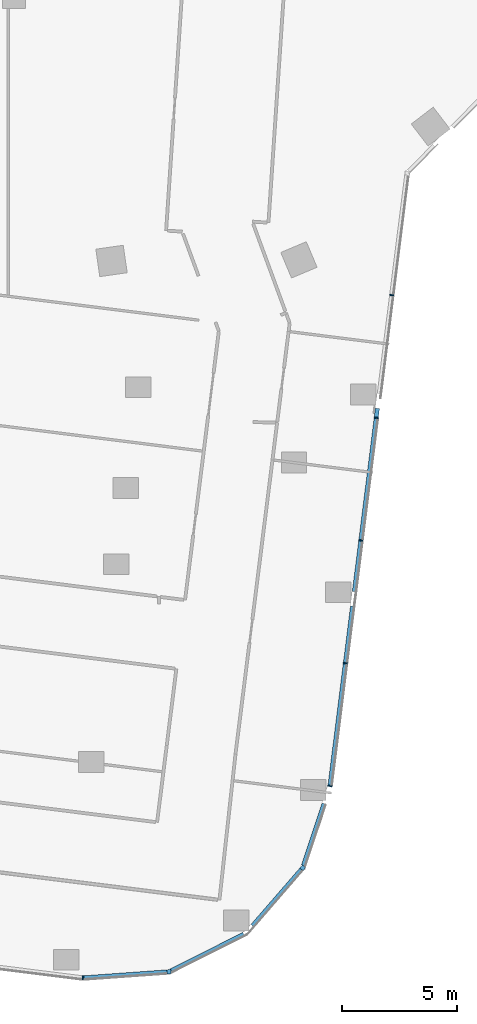
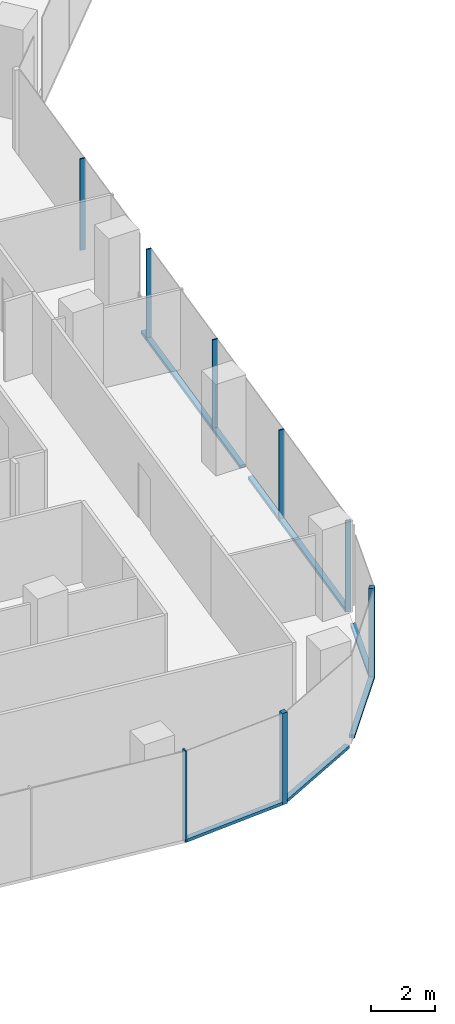
# One storey, part 4 of 27: 14 members, 6 elements without a shape of their own.
"""IFC4 building model written with IfcOpenShell, lengths in metres."""

from ifc_helpers import new_model, si_unit, direction, frame, origin, origin_2d, place, context, subcontext, project, spatial, rectangle, extrude, material, material_profile, profile_set, type_object, element, aggregate, save


model = new_model("IFC4")

# Units and contexts
model_context = context("Model", 3, precision=1e-05, world=origin(), true_north=direction((0.0, 1.0)))
body_context = subcontext(model_context, "Body", "Model", "MODEL_VIEW")
ifc_project = project(units=[si_unit("LENGTHUNIT", "METRE"), si_unit("AREAUNIT", "SQUARE_METRE"), si_unit("VOLUMEUNIT", "CUBIC_METRE"), si_unit("PLANEANGLEUNIT", "RADIAN"), si_unit("MASSUNIT", "GRAM", prefix="KILO")], contexts=[model_context])

# Site, building, storey
site_placement = place(None, origin())
site = spatial("IfcSite", under=ifc_project, at=site_placement, CompositionType="ELEMENT")
building_placement = place(site_placement, origin())
building = spatial("IfcBuilding", under=site, at=building_placement, Name="Orlundy Tower", CompositionType="ELEMENT")
storey_placement = place(building_placement, frame((0.0, 0.0, 192.10009765625)))
storey = spatial("IfcBuildingStorey", under=building, at=storey_placement, Name="L50", CompositionType="ELEMENT", Elevation=192.10009765625)

# Curtain wall, member
ifc_material_1 = material(Name="Aluminium bronze anodised", Category="aluminium")
curtain_wall_type = type_object("IfcCurtainWallType", Name="CW1 wall", PredefinedType="NOTDEFINED", material=ifc_material_1)
curtain_wall_1_placement = place(storey_placement, origin())
curtain_wall_1 = element("IfcCurtainWall", 1, at=curtain_wall_1_placement, inside=storey, type_object=curtain_wall_type, Name="CW1 run 020", PredefinedType="NOTDEFINED")
ifc_material_2 = material(Name="Aluminium bronze anodised", Category="aluminium")
ifc_material_profile_1 = material_profile(ifc_material_2, rectangle(XDim=0.179931640625, YDim=0.179931640625, at=origin_2d()), Name="CW1 corner post 180x180")
ifc_profile_set_1 = profile_set([ifc_material_profile_1], Name="Aluminium bronze anodised")
member_type_1 = type_object("IfcMemberType", Name="CW1 corner post 180x180", PredefinedType="MULLION", material=ifc_profile_set_1)
member_1_placement = place(storey_placement, frame((12.5146484375, -55.66650390625, -0.420166015625), z_axis=(0.0, 0.0, 1.0), x_axis=(0.755626772005, -0.655002428568, 0.0)))
member_1 = element("IfcMember", 2, at=member_1_placement, type_object=member_type_1, Name="CW1 mullion 50", PredefinedType="MULLION", context=body_context, shape_type="SweptSolid", body=[
    extrude(rectangle(XDim=0.179931640625, YDim=0.179931640625, at=origin_2d()), origin(), (0.0, 0.0, 1.0), 3.5),
])

curtain_wall_2_placement = place(storey_placement, origin())
curtain_wall_2 = element("IfcCurtainWall", 3, at=curtain_wall_2_placement, inside=storey, type_object=curtain_wall_type, Name="CW1 run 022", PredefinedType="NOTDEFINED")
member_2_placement = place(storey_placement, frame((6.71630859375, -60.16943359375, -0.420166015625), z_axis=(0.0, 0.0, 1.0), x_axis=(0.071227876188, -0.997460069203, 0.0)))
member_2 = element("IfcMember", 4, at=member_2_placement, type_object=member_type_1, Name="CW1 mullion 52", PredefinedType="MULLION", context=body_context, shape_type="SweptSolid", body=[
    extrude(rectangle(XDim=0.179931640625, YDim=0.179931640625, at=origin_2d()), origin(), (0.0, 0.0, 1.0), 3.5),
])

# Curtain wall, members
curtain_wall_3_placement = place(storey_placement, origin())
curtain_wall_3 = element("IfcCurtainWall", 5, at=curtain_wall_3_placement, inside=storey, type_object=curtain_wall_type, Name="CW1 run 018", PredefinedType="NOTDEFINED")
ifc_material_3 = material(Name="Aluminium bronze anodised", Category="aluminium")
ifc_material_profile_2 = material_profile(ifc_material_3, rectangle(XDim=0.179931640625, YDim=0.050048828125, at=origin_2d()), Name="CW1 mullion 50x180")
ifc_profile_set_2 = profile_set([ifc_material_profile_2], Name="Aluminium bronze anodised")
member_type_2 = type_object("IfcMemberType", Name="CW1 mullion 50x180", PredefinedType="MULLION", material=ifc_profile_set_2)
member_3_placement = place(storey_placement, frame((16.3681640625, -30.85595703125, -0.420166015625), z_axis=(0.0, 0.0, 1.0), x_axis=(0.992189164773, -0.124742379758, 0.0)))
member_3 = element("IfcMember", 6, at=member_3_placement, type_object=member_type_2, Name="CW1 mullion 45", PredefinedType="MULLION", context=body_context, shape_type="SweptSolid", body=[
    extrude(rectangle(XDim=0.179931640625, YDim=0.050048828125, at=origin_2d()), origin(), (0.0, 0.0, 1.0), 3.5),
])
member_4_placement = place(storey_placement, frame((15.699951171875, -36.1708984375, -0.420166015625), z_axis=(0.0, 0.0, 1.0), x_axis=(0.992189164773, -0.124742379758, 0.0)))
member_4 = element("IfcMember", 7, at=member_4_placement, type_object=member_type_2, Name="CW1 mullion 46", PredefinedType="MULLION", context=body_context, shape_type="SweptSolid", body=[
    extrude(rectangle(XDim=0.179931640625, YDim=0.050048828125, at=origin_2d()), origin(), (0.0, 0.0, 1.0), 3.5),
])
member_5_placement = place(storey_placement, frame((15.03173828125, -41.485595703125, -0.420166015625), z_axis=(0.0, 0.0, 1.0), x_axis=(0.992189164773, -0.124742379758, 0.0)))
member_5 = element("IfcMember", 8, at=member_5_placement, type_object=member_type_2, Name="CW1 mullion 47", PredefinedType="MULLION", context=body_context, shape_type="SweptSolid", body=[
    extrude(rectangle(XDim=0.179931640625, YDim=0.050048828125, at=origin_2d()), origin(), (0.0, 0.0, 1.0), 3.5),
])
member_6_placement = place(storey_placement, frame((14.363525390625, -46.800537109375, -0.420166015625), z_axis=(0.0, 0.0, 1.0), x_axis=(0.992189164773, -0.124742379758, 0.0)))
member_6 = element("IfcMember", 9, at=member_6_placement, type_object=member_type_2, Name="CW1 mullion 48", PredefinedType="MULLION", context=body_context, shape_type="SweptSolid", body=[
    extrude(rectangle(XDim=0.179931640625, YDim=0.050048828125, at=origin_2d()), origin(), (0.0, 0.0, 1.0), 3.5),
])

# Curtain wall, member
curtain_wall_4_placement = place(storey_placement, origin())
curtain_wall_4 = element("IfcCurtainWall", 10, at=curtain_wall_4_placement, inside=storey, type_object=curtain_wall_type, Name="CW1 run 019", PredefinedType="NOTDEFINED")
member_7_placement = place(storey_placement, frame((13.694091796875, -52.1240234375, -0.420166015625), z_axis=(0.0, 0.0, 1.0), x_axis=(0.975185541669, -0.22138915809, 0.0)))
member_7 = element("IfcMember", 11, at=member_7_placement, type_object=member_type_2, Name="CW1 mullion 49", PredefinedType="MULLION", context=body_context, shape_type="SweptSolid", body=[
    extrude(rectangle(XDim=0.179931640625, YDim=0.050048828125, at=origin_2d()), origin(), (0.0, 0.0, 1.0), 3.5),
])

curtain_wall_5_placement = place(storey_placement, origin())
curtain_wall_5 = element("IfcCurtainWall", 12, at=curtain_wall_5_placement, inside=storey, type_object=curtain_wall_type, Name="CW1 run 023", PredefinedType="NOTDEFINED")
member_8_placement = place(storey_placement, frame((2.99267578125, -60.435302734375, -0.420166015625), z_axis=(0.0, 0.0, 1.0), x_axis=(-0.026896328745, -0.999638228311, 0.0)))
member_8 = element("IfcMember", 13, at=member_8_placement, type_object=member_type_2, Name="CW1 mullion 53", PredefinedType="MULLION", context=body_context, shape_type="SweptSolid", body=[
    extrude(rectangle(XDim=0.179931640625, YDim=0.050048828125, at=origin_2d()), origin(), (0.0, 0.0, 1.0), 3.5),
])
aggregate(curtain_wall_5, [member_8])

# Member
ifc_material_4 = material(Name="Aluminium bronze anodised", Category="aluminium")
ifc_material_profile_3 = material_profile(ifc_material_4, rectangle(XDim=0.179931640625, YDim=0.1201171875, at=origin_2d()), Name="CW1 transom 180x120")
ifc_profile_set_3 = profile_set([ifc_material_profile_3], Name="Aluminium bronze anodised")
member_type_3 = type_object("IfcMemberType", Name="CW1 transom 180x120", PredefinedType="USERDEFINED", material=ifc_profile_set_3)
member_9_placement = place(storey_placement, frame((15.751220703125, -35.761962890625, -0.360107421875), z_axis=(-0.124745048398, -0.992188829256, 0.0), x_axis=(0.992188829256, -0.124745048398, 0.0)))
member_9 = element("IfcMember", 14, at=member_9_placement, type_object=member_type_3, Name="CW1 transom", ObjectType="TRANSOM", PredefinedType="USERDEFINED", context=body_context, shape_type="SweptSolid", body=[
    extrude(rectangle(XDim=0.179931640625, YDim=0.1201171875, at=origin_2d()), origin(), (0.0, 0.0, 1.0), 7.994873046875),
])

member_10_placement = place(storey_placement, frame((14.67431640625, -44.327880859375, -0.360107421875), z_axis=(-0.124744431686, -0.992188906793, 0.0), x_axis=(0.992188906793, -0.124744431686, 0.0)))
member_10 = element("IfcMember", 15, at=member_10_placement, type_object=member_type_3, Name="CW1 transom", ObjectType="TRANSOM", PredefinedType="USERDEFINED", context=body_context, shape_type="SweptSolid", body=[
    extrude(rectangle(XDim=0.179931640625, YDim=0.1201171875, at=origin_2d()), origin(), (0.0, 0.0, 1.0), 7.83251953125),
])

aggregate(curtain_wall_3, [member_3, member_4, member_5, member_6, member_9, member_10])

member_11_placement = place(storey_placement, frame((13.437744140625, -52.89404296875, -0.360107421875), z_axis=(-0.315916586295, -0.948786967925, 0.0), x_axis=(0.948786967925, -0.315916586295, 0.0)))
member_11 = element("IfcMember", 16, at=member_11_placement, type_object=member_type_3, Name="CW1 transom", ObjectType="TRANSOM", PredefinedType="USERDEFINED", context=body_context, shape_type="SweptSolid", body=[
    extrude(rectangle(XDim=0.179931640625, YDim=0.1201171875, at=origin_2d()), origin(), (0.0, 0.0, 1.0), 2.82470703125),
])

aggregate(curtain_wall_4, [member_7, member_11])

member_12_placement = place(storey_placement, frame((12.455810546875, -55.734375, -0.360107421875), z_axis=(-0.654962174083, -0.755661664054, 0.0), x_axis=(0.755661664054, -0.654962174083, 0.0)))
member_12 = element("IfcMember", 17, at=member_12_placement, type_object=member_type_3, Name="CW1 transom", ObjectType="TRANSOM", PredefinedType="USERDEFINED", context=body_context, shape_type="SweptSolid", body=[
    extrude(rectangle(XDim=0.179931640625, YDim=0.1201171875, at=origin_2d()), origin(), (0.0, 0.0, 1.0), 3.231689453125),
])

aggregate(curtain_wall_1, [member_1, member_12])

# Curtain wall, member
curtain_wall_6_placement = place(storey_placement, origin())
curtain_wall_6 = element("IfcCurtainWall", 18, at=curtain_wall_6_placement, inside=storey, type_object=curtain_wall_type, Name="CW1 run 021", PredefinedType="NOTDEFINED")
member_13_placement = place(storey_placement, frame((9.954345703125, -58.549072265625, -0.360107421875), z_axis=(-0.894260832401, -0.447546158103, 0.0), x_axis=(0.447546158103, -0.894260832401, 0.0)))
member_13 = element("IfcMember", 19, at=member_13_placement, type_object=member_type_3, Name="CW1 transom", ObjectType="TRANSOM", PredefinedType="USERDEFINED", context=body_context, shape_type="SweptSolid", body=[
    extrude(rectangle(XDim=0.179931640625, YDim=0.1201171875, at=origin_2d()), origin(), (0.0, 0.0, 1.0), 3.5234375),
])
aggregate(curtain_wall_6, [member_13])

# Member
member_14_placement = place(storey_placement, frame((6.62646484375, -60.176025390625, -0.360107421875), z_axis=(-0.997462808518, -0.071189505005, 0.0), x_axis=(0.071189505005, -0.997462808518, 0.0)))
member_14 = element("IfcMember", 20, at=member_14_placement, type_object=member_type_3, Name="CW1 transom", ObjectType="TRANSOM", PredefinedType="USERDEFINED", context=body_context, shape_type="SweptSolid", body=[
    extrude(rectangle(XDim=0.179931640625, YDim=0.1201171875, at=origin_2d()), origin(), (0.0, 0.0, 1.0), 3.6181640625),
])

aggregate(curtain_wall_2, [member_2, member_14])

save(model, "model.ifc")
